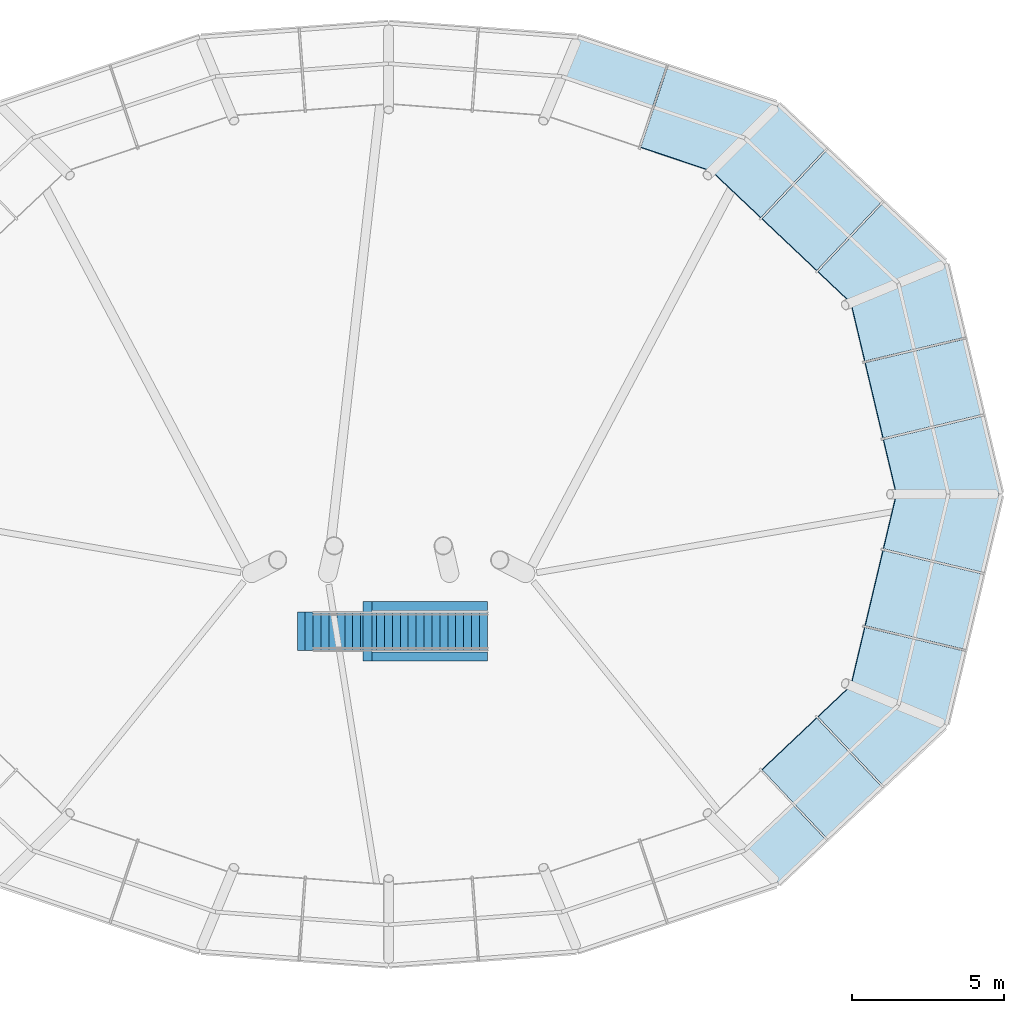
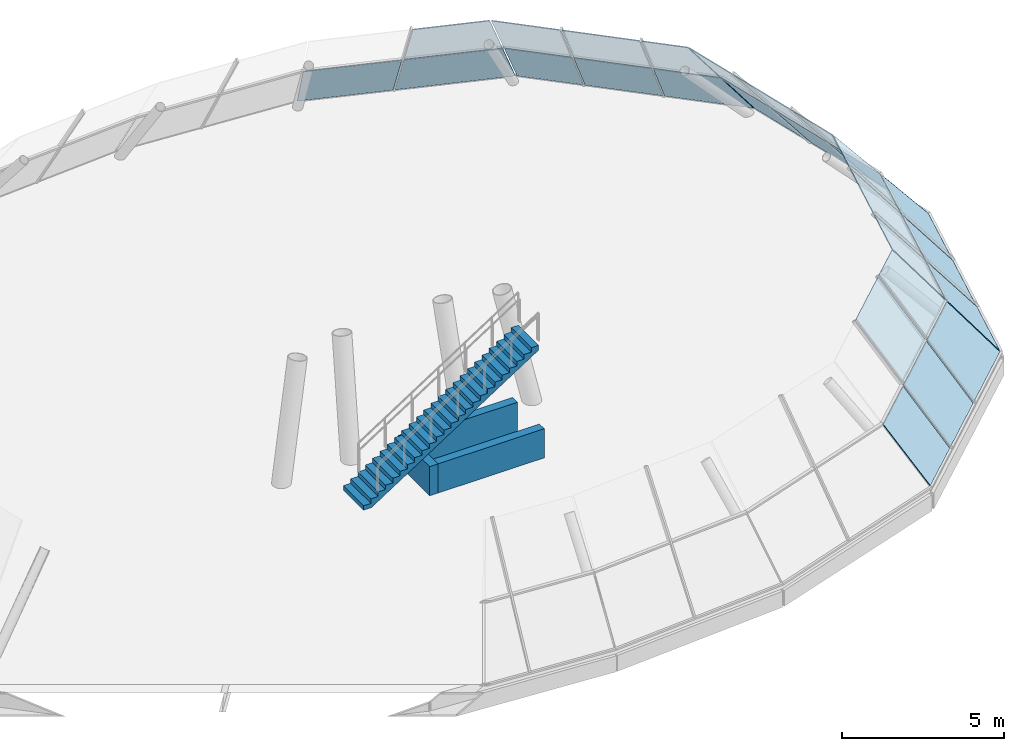
# One storey, part 4 of 5: 26 plates, 3 walls, 1 stair flight, 6 elements without a shape of their own.
"""IFC4 building model written with IfcOpenShell, lengths in metres."""

from ifc_helpers import new_model, si_unit, direction, frame, frame_2d, origin, place, context, subcontext, project, spatial, polyline, rectangle, outline, extrude, material, layer, layer_set, type_object, element, aggregate, save


model = new_model("IFC4")

# Units and contexts
model_context = context("Model", 3, precision=1e-05, world=origin(), true_north=direction((0.0, 1.0)))
body_context = subcontext(model_context, "Body", "Model", "MODEL_VIEW")
ifc_project = project(units=[si_unit("LENGTHUNIT", "METRE"), si_unit("AREAUNIT", "SQUARE_METRE"), si_unit("VOLUMEUNIT", "CUBIC_METRE"), si_unit("PLANEANGLEUNIT", "RADIAN"), si_unit("MASSUNIT", "GRAM", prefix="KILO")], contexts=[model_context])

# Site, building, storey
site_placement = place(None, origin())
site = spatial("IfcSite", under=ifc_project, at=site_placement, CompositionType="ELEMENT")
building_placement = place(site_placement, origin())
building = spatial("IfcBuilding", under=site, at=building_placement, Name="Rubra Terraces Tower", CompositionType="ELEMENT")
storey_placement = place(building_placement, frame((0.0, 0.0, 320.39990234375)))
storey = spatial("IfcBuildingStorey", under=building, at=storey_placement, Name="L79", CompositionType="ELEMENT", Elevation=320.39990234375)

# Curtain wall, plates
ifc_material_1 = material(Name="Aluminium and glass", Category="aluminium")
curtain_wall_type = type_object("IfcCurtainWallType", Name="Curtain wall Crown glazing", PredefinedType="NOTDEFINED", material=ifc_material_1)
curtain_wall_1_placement = place(storey_placement, origin())
curtain_wall_1 = element("IfcCurtainWall", 1, at=curtain_wall_1_placement, inside=storey, type_object=curtain_wall_type, Name="Crown glazing L79 facet 1", PredefinedType="NOTDEFINED")
ifc_material_2 = material(Name="Clear glass, laminated", Category="glass")
ifc_layer_1 = layer(ifc_material_2, 0.028076171875)
ifc_layer_set_1 = layer_set([ifc_layer_1], Name="Clear glass, laminated")
plate_type = type_object("IfcPlateType", Name="Crown glazing glass panel 28", PredefinedType="CURTAIN_PANEL", material=ifc_layer_set_1)
plate_1_placement = place(storey_placement, frame((20.075927734375, 0.029296875, 0.023193359375), z_axis=(0.760279804319, 0.180519794758, 0.6240089926), x_axis=(-0.231007162211, 0.972952049631, -1.1256612e-05)))
plate_1 = element("IfcPlate", 2, at=plate_1_placement, type_object=plate_type, Name="Crown glazing L79 facet 1 panel 1.1", PredefinedType="CURTAIN_PANEL", context=body_context, shape_type="SweptSolid", body=[
    extrude(outline(polyline([(0.0, 0.0), (2.596842128706095, 0.0), (2.596780248961426, 2.6282250699297824), (0.38935028254059456, 2.628155862562285), (0.0, 0.0)])), origin(), (0.0, 0.0, -1.0), 0.028076171875),
])
plate_2_placement = place(storey_placement, frame((18.352294921875, 0.029296875, 2.123291015625), z_axis=(0.760287080752, 0.180481320284, 0.624011256205), x_axis=(-0.230968271642, 0.972961282628, 1.371961e-06)))
plate_2 = element("IfcPlate", 3, at=plate_2_placement, type_object=plate_type, Name="Crown glazing L79 facet 1 panel 1.2", PredefinedType="CURTAIN_PANEL", context=body_context, shape_type="SweptSolid", body=[
    extrude(outline(polyline([(0.0, 0.0), (2.1986085848145884, 0.0), (2.1987446236406516, 2.6281898813609894), (0.38907312672582317, 2.6281969188533925), (0.0, 0.0)])), origin(), (0.0, 0.0, -1.0), 0.028076171875),
])
plate_3_placement = place(storey_placement, frame((19.462158203125, 2.6142578125, 0.023193359375), z_axis=(0.760301607998, 0.180497849973, 0.623988774763), x_axis=(-0.23096110992, 0.97296298229, -2.8242734e-05)))
plate_3 = element("IfcPlate", 4, at=plate_3_placement, type_object=plate_type, Name="Crown glazing L79 facet 1 panel 2.1", PredefinedType="CURTAIN_PANEL", context=body_context, shape_type="SweptSolid", body=[
    extrude(outline(polyline([(0.0, 0.0), (2.537331137872465, -5.551115123125783e-17), (2.537156745304173, 2.6282250627807957), (6.76023257962896e-06, 2.628041659767133), (0.0, 0.0)])), origin(), (0.0, 0.0, -1.0), 0.028076171875),
])
plate_4_placement = place(storey_placement, frame((17.83056640625, 2.226806640625, 2.123291015625), z_axis=(0.760268635084, 0.180518689956, 0.624022920319), x_axis=(-0.231017782524, 0.972949528063, 0.0)))
plate_4 = element("IfcPlate", 5, at=plate_4_placement, type_object=plate_type, Name="Crown glazing L79 facet 1 panel 2.2", PredefinedType="CURTAIN_PANEL", context=body_context, shape_type="SweptSolid", body=[
    extrude(outline(polyline([(0.0, 0.0), (2.5373875301785924, 1.1102230246251565e-16), (2.537366670564548, 2.6282250709929382), (-2.085961404437504e-05, 2.6282250709929382), (0.0, 0.0)])), origin(), (0.0, 0.0, -1.0), 0.028076171875),
])
plate_5_placement = place(storey_placement, frame((18.8623046875, 5.141357421875, 0.023193359375), z_axis=(0.760262229595, 0.180560239761, 0.6240187033), x_axis=(-0.231072743579, 0.972936476427, 3.582867e-06)))
plate_5 = element("IfcPlate", 6, at=plate_5_placement, type_object=plate_type, Name="Crown glazing L79 facet 1 panel 3.1", PredefinedType="CURTAIN_PANEL", context=body_context, shape_type="SweptSolid", body=[
    extrude(outline(polyline([(0.0, 0.0), (2.470174499129476, 0.0), (2.206265031503334, 2.628203628103767), (7.914543437378456e-05, 2.6282250698457714), (0.0, 0.0)])), origin(), (0.0, 0.0, -1.0), 0.028076171875),
])
plate_6_placement = place(storey_placement, frame((17.230712890625, 4.75390625, 2.123291015625), z_axis=(0.760245259166, 0.180538650348, 0.624045624651), x_axis=(-0.231031859095, 0.972946185364, -2.1657989e-05)))
plate_6 = element("IfcPlate", 7, at=plate_6_placement, type_object=plate_type, Name="Crown glazing L79 facet 1 panel 3.2", PredefinedType="CURTAIN_PANEL", context=body_context, shape_type="SweptSolid", body=[
    extrude(outline(polyline([(0.0, 0.0), (2.2003841382058753, -5.551115123125783e-17), (1.9364103209302188, 2.6283397317016632), (-4.161026457054911e-05, 2.6282250696368776), (0.0, 0.0)])), origin(), (0.0, 0.0, -1.0), 0.028076171875),
])
aggregate(curtain_wall_1, [plate_1, plate_2, plate_3, plate_4, plate_5, plate_6])

curtain_wall_2_placement = place(storey_placement, origin())
curtain_wall_2 = element("IfcCurtainWall", 8, at=curtain_wall_2_placement, inside=storey, type_object=curtain_wall_type, Name="Crown glazing L79 facet 2", PredefinedType="NOTDEFINED")
plate_7_placement = place(storey_placement, frame((18.2626953125, 7.594482421875, 0.0234375), z_axis=(0.552681656558, 0.584633133384, 0.593925151728), x_axis=(-0.726682766719, 0.686973184722, -5.135719e-06)))
plate_7 = element("IfcPlate", 9, at=plate_7_placement, type_object=plate_type, Name="Crown glazing L79 facet 2 panel 1.1", PredefinedType="CURTAIN_PANEL", context=body_context, shape_type="SweptSolid", body=[
    extrude(outline(polyline([(0.0, 0.0), (2.828851427285646, 0.0), (2.8289399226035683, 2.5524294712251216), (0.678458689566012, 2.5523976852602352), (0.0, 0.0)])), origin(), (0.0, 0.0, -1.0), 0.028076171875),
])
plate_8_placement = place(storey_placement, frame((16.693359375, 6.944580078125, 2.123291015625), z_axis=(0.552739837821, 0.584568727265, 0.593934402766), x_axis=(-0.726612173697, 0.687047850614, 1.359485e-06)))
plate_8 = element("IfcPlate", 10, at=plate_8_placement, type_object=plate_type, Name="Crown glazing L79 facet 2 panel 1.2", PredefinedType="CURTAIN_PANEL", context=body_context, shape_type="SweptSolid", body=[
    extrude(outline(polyline([(0.0, 0.0), (2.1349309663477367, 1.1102230246251565e-16), (2.134877027296947, 2.552429472301837), (0.6783162576085328, 2.552435541283632), (0.0, 0.0)])), origin(), (0.0, 0.0, -1.0), 0.028076171875),
])
plate_9_placement = place(storey_placement, frame((16.163330078125, 9.5791015625, 0.0234375), z_axis=(0.552718751319, 0.584634687568, 0.593889100786), x_axis=(-0.726663741204, 0.686993309442, 9.37616e-07)))
plate_9 = element("IfcPlate", 11, at=plate_9_placement, type_object=plate_type, Name="Crown glazing L79 facet 2 panel 2.1", PredefinedType="CURTAIN_PANEL", context=body_context, shape_type="SweptSolid", body=[
    extrude(outline(polyline([(0.0, 0.0), (2.467731132790754, -2.220446049250313e-16), (2.4679578386922225, 2.5523241075317564), (-0.00011842521441206268, 2.55232985970545), (0.0, 0.0)])), origin(), (0.0, 0.0, -1.0), 0.028076171875),
])
plate_10_placement = place(storey_placement, frame((15.098388671875, 8.452392578125, 2.123291015625), z_axis=(0.552718751319, 0.584634687568, 0.593889100786), x_axis=(-0.726662790311, 0.686994315243, -9.37485e-07)))
plate_10 = element("IfcPlate", 12, at=plate_10_placement, type_object=plate_type, Name="Crown glazing L79 facet 2 panel 2.2", PredefinedType="CURTAIN_PANEL", context=body_context, shape_type="SweptSolid", body=[
    extrude(outline(polyline([(0.0, 0.0), (2.4680762639133382, 0.0), (2.467951890161237, 2.552329859422513), (0.00022075737718465376, 2.5523241080531927), (0.0, 0.0)])), origin(), (0.0, 0.0, -1.0), 0.028076171875),
])
plate_11_placement = place(storey_placement, frame((14.326416015625, 11.31591796875, 0.0234375), z_axis=(0.552665975775, 0.584614662377, 0.593957924229), x_axis=(-0.726693335509, 0.686962004632, 1.7881661e-05)))
plate_11 = element("IfcPlate", 13, at=plate_11_placement, type_object=plate_type, Name="Crown glazing L79 facet 2 panel 3.1", PredefinedType="CURTAIN_PANEL", context=body_context, shape_type="SweptSolid", body=[
    extrude(outline(polyline([(0.0, 0.0), (2.0997082202863657, 0.0), (2.1421797646861758, 2.5524405610525056), (-8.631584049121321e-06, 2.5525348463550808), (0.0, 0.0)])), origin(), (0.0, 0.0, -1.0), 0.028076171875),
])
plate_12_placement = place(storey_placement, frame((13.261474609375, 10.189208984375, 2.123291015625), z_axis=(0.552670274631, 0.584611812545, 0.593956729208), x_axis=(-0.72666928322, 0.686987447036, -2.0985173e-05)))
plate_12 = element("IfcPlate", 14, at=plate_12_placement, type_object=plate_type, Name="Crown glazing L79 facet 2 panel 3.2", PredefinedType="CURTAIN_PANEL", context=body_context, shape_type="SweptSolid", body=[
    extrude(outline(polyline([(0.0, 0.0), (2.143223791682276, 0.0), (2.1857398561515806, 2.552542391248027), (2.6195043975690828e-05, 2.552429471618804), (0.0, 0.0)])), origin(), (0.0, 0.0, -1.0), 0.028076171875),
])
aggregate(curtain_wall_2, [plate_7, plate_8, plate_9, plate_10, plate_11, plate_12])

curtain_wall_3_placement = place(storey_placement, origin())
curtain_wall_3 = element("IfcCurtainWall", 15, at=curtain_wall_3_placement, inside=storey, type_object=curtain_wall_type, Name="Crown glazing L79 facet 3", PredefinedType="NOTDEFINED")
plate_13_placement = place(storey_placement, frame((12.75, 12.7880859375, 0.024169921875), z_axis=(0.265867634633, 0.790563758594, 0.551655095555), x_axis=(-0.947838231436, 0.31875176378, 1.0724408e-05)))
plate_13 = element("IfcPlate", 16, at=plate_13_placement, type_object=plate_type, Name="Crown glazing L79 facet 3 panel 1.1", PredefinedType="CURTAIN_PANEL", context=body_context, shape_type="SweptSolid", body=[
    extrude(outline(polyline([(0.0, 0.0), (3.7938200187564224, 0.0), (3.793936030094445, 2.459879132105102), (0.6738776358008529, 2.459968029978055), (0.0, 0.0)])), origin(), (0.0, 0.0, -1.0), 0.028076171875),
])
plate_14_placement = place(storey_placement, frame((11.6533203125, 11.69140625, 2.124267578125), z_axis=(0.265881296045, 0.790542436413, 0.551679066707), x_axis=(-0.947829037005, 0.318779103143, 2.907327e-06)))
plate_14 = element("IfcPlate", 17, at=plate_14_placement, type_object=plate_type, Name="Crown glazing L79 facet 3 panel 1.2", PredefinedType="CURTAIN_PANEL", context=body_context, shape_type="SweptSolid", body=[
    extrude(outline(polyline([(0.0, 0.0), (3.10407700927554, -1.1102230246251565e-16), (3.103828611631115, 2.459963856722478), (0.6738224521137285, 2.4599831472483875), (0.0, 0.0)])), origin(), (0.0, 0.0, -1.0), 0.028076171875),
])
plate_15_placement = place(storey_placement, frame((9.097412109375, 14.0166015625, 0.024169921875), z_axis=(0.265862073151, 0.790543515527, 0.551686784433), x_axis=(-0.947836512918, 0.318756874056, 4.713757e-06)))
plate_15 = element("IfcPlate", 18, at=plate_15_placement, type_object=plate_type, Name="Crown glazing L79 facet 3 panel 2.1", PredefinedType="CURTAIN_PANEL", context=body_context, shape_type="SweptSolid", body=[
    extrude(outline(polyline([(0.0, 0.0), (3.018534408089905, 0.0), (3.111043889486757, 2.459972149924801), (1.854148029939628e-05, 2.4600067919819617), (0.0, 0.0)])), origin(), (0.0, 0.0, -1.0), 0.028076171875),
])
aggregate(curtain_wall_3, [plate_13, plate_14, plate_15])

curtain_wall_4_placement = place(storey_placement, origin())
curtain_wall_4 = element("IfcCurtainWall", 19, at=curtain_wall_4_placement, inside=storey, type_object=curtain_wall_type, Name="Crown glazing L79 facet 15", PredefinedType="NOTDEFINED")
plate_16_placement = place(storey_placement, frame((12.80029296875, -12.7578125, 0.024169921875), z_axis=(0.552729231295, -0.584586290115, 0.593926987332), x_axis=(0.726617321913, 0.687042405548, 2.1782516e-05)))
plate_16 = element("IfcPlate", 20, at=plate_16_placement, type_object=plate_type, Name="Crown glazing L79 facet 15 panel 1.1", PredefinedType="CURTAIN_PANEL", context=body_context, shape_type="SweptSolid", body=[
    extrude(outline(polyline([(0.0, 0.0), (2.099698539799522, 1.1102230246251565e-16), (2.099827250366498, 2.550234627945522), (-0.0423611444484513, 2.5503494779077482), (0.0, 0.0)])), origin(), (0.0, 0.0, -1.0), 0.028076171875),
])
plate_17_placement = place(storey_placement, frame((14.36962890625, -11.274169921875, 0.024169921875), z_axis=(0.552689645949, -0.58460390155, 0.59394649048), x_axis=(0.726662790219, 0.68699431534, 9.37526e-07)))
plate_17 = element("IfcPlate", 21, at=plate_17_placement, type_object=plate_type, Name="Crown glazing L79 facet 15 panel 2.1", PredefinedType="CURTAIN_PANEL", context=body_context, shape_type="SweptSolid", body=[
    extrude(outline(polyline([(0.0, 0.0), (2.4680762639133387, 0.0), (2.467884559280071, 2.550334247289919), (0.000153426496019425, 2.5503399992150153), (0.0, 0.0)])), origin(), (0.0, 0.0, -1.0), 0.028076171875),
])
plate_18_placement = place(storey_placement, frame((13.3046875, -10.1474609375, 2.124267578125), z_axis=(0.552689645949, -0.58460390155, 0.59394649048), x_axis=(0.726663741296, 0.686993309345, -9.37658e-07)))
plate_18 = element("IfcPlate", 22, at=plate_18_placement, type_object=plate_type, Name="Crown glazing L79 facet 15 panel 2.2", PredefinedType="CURTAIN_PANEL", context=body_context, shape_type="SweptSolid", body=[
    extrude(outline(polyline([(0.0, 0.0), (2.467731132790755, 0.0), (2.467878614812333, 2.5503399995657023), (-0.00019764909430101875, 2.5503342468361554), (0.0, 0.0)])), origin(), (0.0, 0.0, -1.0), 0.028076171875),
])
plate_19_placement = place(storey_placement, frame((16.20654296875, -9.537353515625, 0.024169921875), z_axis=(0.552697388637, -0.584647494603, 0.593896374503), x_axis=(0.72668190115, 0.686974100329, 4.205244e-06)))
plate_19 = element("IfcPlate", 23, at=plate_19_placement, type_object=plate_type, Name="Crown glazing L79 facet 15 panel 3.1", PredefinedType="CURTAIN_PANEL", context=body_context, shape_type="SweptSolid", body=[
    extrude(outline(polyline([(0.0, 0.0), (2.8288514273204908, -1.1102230246251565e-16), (2.1507766378928252, 2.55020860360238), (-4.972596352350489e-05, 2.550234631792746), (0.0, 0.0)])), origin(), (0.0, 0.0, -1.0), 0.028076171875),
])
plate_20_placement = place(storey_placement, frame((15.1416015625, -8.410888671875, 2.124267578125), z_axis=(0.55271783548, -0.584600144581, 0.593923955822), x_axis=(0.726653079394, 0.687004586488, -1.8750884e-05)))
plate_20 = element("IfcPlate", 24, at=plate_20_placement, type_object=plate_type, Name="Crown glazing L79 facet 15 panel 3.2", PredefinedType="CURTAIN_PANEL", context=body_context, shape_type="SweptSolid", body=[
    extrude(outline(polyline([(0.0, 0.0), (2.134763236695121, -1.1102230246251565e-16), (1.4568726137539068, 2.5503183418721838), (-3.328391538106454e-05, 2.5502346312484256), (0.0, 0.0)])), origin(), (0.0, 0.0, -1.0), 0.028076171875),
])
aggregate(curtain_wall_4, [plate_16, plate_17, plate_18, plate_19, plate_20])

curtain_wall_5_placement = place(storey_placement, origin())
curtain_wall_5 = element("IfcCurtainWall", 25, at=curtain_wall_5_placement, inside=storey, type_object=curtain_wall_type, Name="Crown glazing L79 facet 16", PredefinedType="NOTDEFINED")
plate_21_placement = place(storey_placement, frame((18.29150390625, -7.544677734375, 0.0234375), z_axis=(0.760298230127, -0.18047751087, 0.623998773505), x_axis=(0.230968792946, 0.972961158803, -1.2109603e-05)))
plate_21 = element("IfcPlate", 26, at=plate_21_placement, type_object=plate_type, Name="Crown glazing L79 facet 16 panel 1.1", PredefinedType="CURTAIN_PANEL", context=body_context, shape_type="SweptSolid", body=[
    extrude(outline(polyline([(0.0, 0.0), (2.470118094816218, 5.551115123125783e-17), (2.470253056410488, 2.6278860672539683), (0.2638860299873345, 2.627813596632652), (0.0, 0.0)])), origin(), (0.0, 0.0, -1.0), 0.028076171875),
])
plate_22_placement = place(storey_placement, frame((16.72216796875, -6.89453125, 2.123291015625), z_axis=(0.760288422501, -0.180513732828, 0.62400024589), x_axis=(0.231015558691, 0.972950056012, -1.2192662e-05)))
plate_22 = element("IfcPlate", 27, at=plate_22_placement, type_object=plate_type, Name="Crown glazing L79 facet 16 panel 1.2", PredefinedType="CURTAIN_PANEL", context=body_context, shape_type="SweptSolid", body=[
    extrude(outline(polyline([(0.0, 0.0), (2.200146602614525, 0.0), (2.2002025739048396, 2.6278860702091205), (0.26380704515298703, 2.6278215272060086), (0.0, 0.0)])), origin(), (0.0, 0.0, -1.0), 0.028076171875),
])
plate_23_placement = place(storey_placement, frame((18.8759765625, -5.0830078125, 0.0234375), z_axis=(0.760279404869, -0.180530173673, 0.62400647667), x_axis=(0.231024385608, 0.972947960183, 5.419537e-06)))
plate_23 = element("IfcPlate", 28, at=plate_23_placement, type_object=plate_type, Name="Crown glazing L79 facet 16 panel 2.1", PredefinedType="CURTAIN_PANEL", context=body_context, shape_type="SweptSolid", body=[
    extrude(outline(polyline([(0.0, 0.0), (2.5373875300828943, 5.551115123125783e-17), (2.5372272542082657, 2.6278508754480914), (7.7260248462686e-05, 2.627886069928689), (0.0, 0.0)])), origin(), (0.0, 0.0, -1.0), 0.028076171875),
])
plate_24_placement = place(storey_placement, frame((17.244384765625, -4.695556640625, 2.123291015625), z_axis=(0.760309296695, -0.180499675292, 0.623978878311), x_axis=(0.230961110616, 0.972962982125, 2.8242572e-05)))
plate_24 = element("IfcPlate", 29, at=plate_24_placement, type_object=plate_type, Name="Crown glazing L79 facet 16 panel 2.2", PredefinedType="CURTAIN_PANEL", context=body_context, shape_type="SweptSolid", body=[
    extrude(outline(polyline([(0.0, 0.0), (2.537331137872412, -5.551115123125783e-17), (2.537380756228182, 2.627702658409702), (0.0002307711564308826, 2.6278860585145956), (0.0, 0.0)])), origin(), (0.0, 0.0, -1.0), 0.028076171875),
])
plate_25_placement = place(storey_placement, frame((19.47607421875, -2.555908203125, 0.0234375), z_axis=(0.760287490674, -0.180521619795, 0.623999099608), x_axis=(0.231007162488, 0.972952049565, 1.1256547e-05)))
plate_25 = element("IfcPlate", 30, at=plate_25_placement, type_object=plate_type, Name="Crown glazing L79 facet 16 panel 3.1", PredefinedType="CURTAIN_PANEL", context=body_context, shape_type="SweptSolid", body=[
    extrude(outline(polyline([(0.0, 0.0), (2.5968421287060863, -5.551115123125783e-17), (2.207548241050123, 2.6278168618073714), (0.00011827462926713005, 2.62788606807766), (0.0, 0.0)])), origin(), (0.0, 0.0, -1.0), 0.028076171875),
])
plate_26_placement = place(storey_placement, frame((17.84423828125, -2.16845703125, 2.123291015625), z_axis=(0.760277535802, -0.180574243823, 0.623996002409), x_axis=(0.231079615015, 0.972934844432, 3.739679e-06)))
plate_26 = element("IfcPlate", 31, at=plate_26_placement, type_object=plate_type, Name="Crown glazing L79 facet 16 panel 3.2", PredefinedType="CURTAIN_PANEL", context=body_context, shape_type="SweptSolid", body=[
    extrude(outline(polyline([(0.0, 0.0), (2.1986649867583408, -5.551115123125783e-17), (1.809471091942573, 2.6278316848742564), (-0.00025680809809003704, 2.627850867846818), (0.0, 0.0)])), origin(), (0.0, 0.0, -1.0), 0.028076171875),
])
aggregate(curtain_wall_5, [plate_21, plate_22, plate_23, plate_24, plate_25, plate_26])

# Walls
ifc_material_3 = material(Name="Blockwork", Category="masonry")
ifc_layer_2 = layer(ifc_material_3, 0.300048828125)
ifc_layer_set_2 = layer_set([ifc_layer_2], Name="Blockwork")
wall_type = type_object("IfcWallType", Name="Crown parapet wall 300 blockwork", PredefinedType="PARAPET", material=ifc_layer_set_2)
wall_placement = place(storey_placement, frame((-0.696044921875, -5.47509765625, 0.0), z_axis=(0.0, 0.0, 1.0), x_axis=(0.0, 1.0, 0.0)))
element("IfcWall", 32, at=wall_placement, inside=storey, type_object=wall_type, Name="CROWN DECK PARAPET L79", PredefinedType="PARAPET", context=body_context, shape_type="SweptSolid", body=[
    extrude(rectangle(XDim=1.9501953125, YDim=0.300048828125, at=frame_2d((0.97509765625, 0.0))), origin(), (0.0, 0.0, 1.0), 1.10009765625),
])
for number, where, z_axis, x_axis, name in (
    (33, (-0.845947265625, -5.324951171875, 0.0), (0.0, 0.0, 1.0), (1.0, 0.0, 0.0), "CROWN DECK PARAPET L79"),
    (34, (-0.845947265625, -3.675048828125, 0.0), (0.0, 0.0, 1.0), (1.0, 0.0, 0.0), "CROWN DECK PARAPET L79"),
):
    element("IfcWall", number, at=place(storey_placement, frame(where, z_axis=z_axis, x_axis=x_axis)), inside=storey, type_object=wall_type, Name=name, PredefinedType="PARAPET", context=body_context, shape_type="SweptSolid", body=[
        extrude(rectangle(XDim=4.083984375, YDim=0.300048828125, at=frame_2d((2.0419921875, 0.0))), origin(), (0.0, 0.0, 1.0), 1.10009765625),
    ])

# Stair, stair flight
ifc_material_4 = material(Name="Steel S355", Category="steel")
stair_type = type_object("IfcStairType", Name="Crown service stair 1250", PredefinedType="STRAIGHT_RUN_STAIR", material=ifc_material_4)
stair_placement = place(storey_placement, origin())
stair = element("IfcStair", 35, at=stair_placement, inside=storey, type_object=stair_type, Name="L79 Crown service stair S5", PredefinedType="STRAIGHT_RUN_STAIR")
stair_flight_type = type_object("IfcStairFlightType", Name="Crown service stair flight 1250", PredefinedType="STRAIGHT", material=ifc_material_4)
stair_flight_placement = place(storey_placement, frame((-3.0, -4.5, 0.0), z_axis=(0.0, 0.0, 1.0), x_axis=(1.0, 0.0, 0.0)))
stair_flight = element("IfcStairFlight", 36, at=stair_flight_placement, type_object=stair_flight_type, Name="S5 flight 1", NumberOfRisers=25, NumberOfTreads=24, PredefinedType="STRAIGHT", RiserHeight=0.168, TreadLength=0.26, context=body_context, shape_type="SweptSolid", body=[
    extrude(outline(polyline([(0.0, 0.0), (0.0, 0.16796875), (0.260009765625, 0.16796875), (0.260009765625, 0.3359375), (0.52001953125, 0.3359375), (0.52001953125, 0.50390625), (0.780029296875, 0.50390625), (0.780029296875, 0.672119140625), (1.0400390625, 0.672119140625), (1.0400390625, 0.840087890625), (1.300048828125, 0.840087890625), (1.300048828125, 1.008056640625), (1.56005859375, 1.008056640625), (1.56005859375, 1.176025390625), (1.820068359375, 1.176025390625), (1.820068359375, 1.343994140625), (2.080078125, 1.343994140625), (2.080078125, 1.511962890625), (2.340087890625, 1.511962890625), (2.340087890625, 1.679931640625), (2.60009765625, 1.679931640625), (2.60009765625, 1.847900390625), (2.860107421875, 1.847900390625), (2.860107421875, 2.01611328125), (3.1201171875, 2.01611328125), (3.1201171875, 2.18408203125), (3.3798828125, 2.18408203125), (3.3798828125, 2.35205078125), (3.639892578125, 2.35205078125), (3.639892578125, 2.52001953125), (3.89990234375, 2.52001953125), (3.89990234375, 2.68798828125), (4.159912109375, 2.68798828125), (4.159912109375, 2.85595703125), (4.419921875, 2.85595703125), (4.419921875, 3.02392578125), (4.679931640625, 3.02392578125), (4.679931640625, 3.19189453125), (4.93994140625, 3.19189453125), (4.93994140625, 3.360107421875), (5.199951171875, 3.360107421875), (5.199951171875, 3.528076171875), (5.4599609375, 3.528076171875), (5.4599609375, 3.696044921875), (5.719970703125, 3.696044921875), (5.719970703125, 3.864013671875), (5.97998046875, 3.864013671875), (5.97998046875, 4.031982421875), (6.239990234375, 4.031982421875), (6.239990234375, 4.199951171875), (6.239990234375, 3.853515625), (0.276123046875, 0.0), (0.0, 0.0)])), frame((0.0, 0.625, 0.0), z_axis=(0.0, -1.0, 0.0), x_axis=(1.0, 0.0, 0.0)), (0.0, 0.0, 1.0), 1.25),
])
aggregate(stair, [stair_flight])

save(model, "model.ifc")
